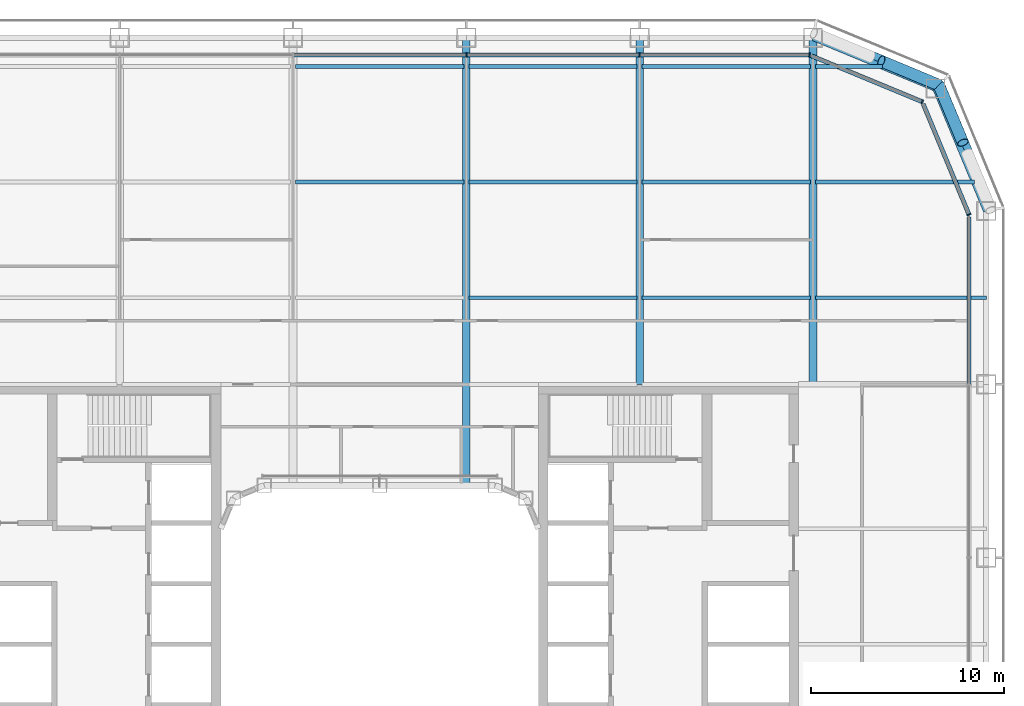
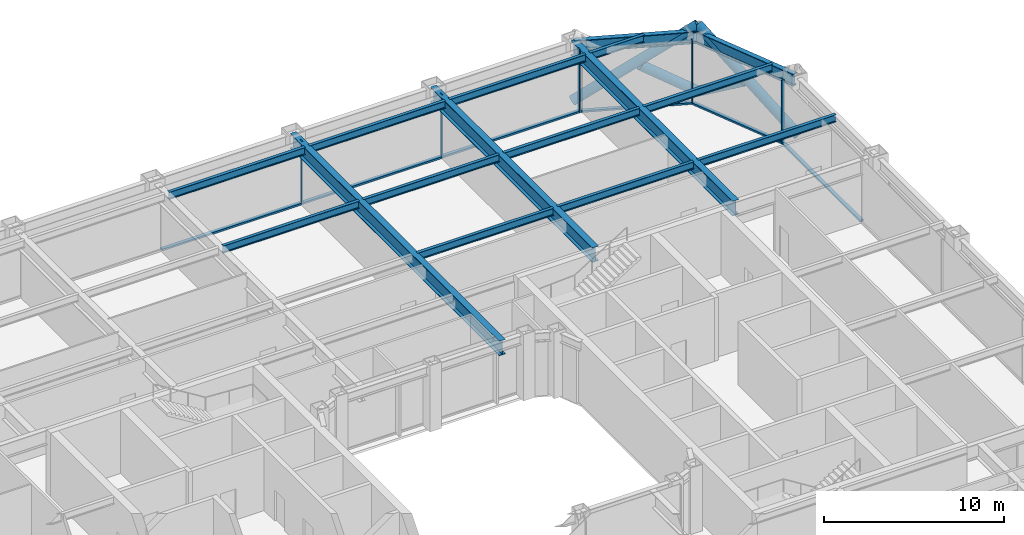
# One storey, part 10 of 27: 16 beams, 15 members, 4 elements without a shape of their own.
"""IFC4 building model written with IfcOpenShell, lengths in metres."""

from ifc_helpers import new_model, si_unit, direction, frame, origin, origin_2d, place, context, subcontext, project, spatial, rectangle, hollow_circle, i_section, extrude, material, layer, layer_set, material_profile, profile_set, type_object, element, aggregate, save


model = new_model("IFC4")

# Units and contexts
model_context = context("Model", 3, precision=1e-05, world=origin(), true_north=direction((0.0, 1.0)))
body_context = subcontext(model_context, "Body", "Model", "MODEL_VIEW")
ifc_project = project(units=[si_unit("LENGTHUNIT", "METRE"), si_unit("AREAUNIT", "SQUARE_METRE"), si_unit("VOLUMEUNIT", "CUBIC_METRE"), si_unit("PLANEANGLEUNIT", "RADIAN"), si_unit("MASSUNIT", "GRAM", prefix="KILO")], contexts=[model_context])

# Site, building, storey
site_placement = place(None, origin())
site = spatial("IfcSite", under=ifc_project, at=site_placement, CompositionType="ELEMENT")
building_placement = place(site_placement, origin())
building = spatial("IfcBuilding", under=site, at=building_placement, Name="Siwar Civic Tower", CompositionType="ELEMENT")
storey_placement = place(building_placement, frame((0.0, 0.0, 89.699951171875)))
storey = spatial("IfcBuildingStorey", under=building, at=storey_placement, Name="L19", CompositionType="ELEMENT", Elevation=89.699951171875)

# Curtain wall, member
ifc_material_1 = material(Name="Aluminium clad insulated panel", Category="aluminium")
ifc_layer_1 = layer(ifc_material_1, 0.219970703125)
ifc_layer_set_1 = layer_set([ifc_layer_1], Name="Aluminium clad insulated panel")
curtain_wall_type_1 = type_object("IfcCurtainWallType", Name="ENV-CW-AX", PredefinedType="NOTDEFINED", material=ifc_layer_set_1)
curtain_wall_1_placement = place(storey_placement, origin())
curtain_wall_1 = element("IfcCurtainWall", 1, at=curtain_wall_1_placement, inside=storey, type_object=curtain_wall_type_1, Name="Curtain wall A NE1", PredefinedType="NOTDEFINED")
ifc_material_2 = material(Name="Aluminium 6063-T6", Category="aluminium")
ifc_material_profile_1 = material_profile(ifc_material_2, rectangle(XDim=0.219970703125, YDim=0.070068359375, at=origin_2d()), Name="AL 220x70")
ifc_profile_set_1 = profile_set([ifc_material_profile_1], Name="Aluminium 6063-T6")
member_type_1 = type_object("IfcMemberType", Name="ENV-MULLION-A", PredefinedType="MULLION", material=ifc_profile_set_1)
member_1_placement = place(storey_placement, frame((30.60009765625, 22.321044921875, 0.0), z_axis=(0.0, 0.0, 1.0), x_axis=(-0.923879532511, -0.382683432365, 0.0)))
member_1 = element("IfcMember", 2, at=member_1_placement, type_object=member_type_1, Name="Mullion A NE1 1", PredefinedType="MULLION", context=body_context, shape_type="SweptSolid", body=[
    extrude(rectangle(XDim=0.219970703125, YDim=0.070068359375, at=origin_2d()), origin(), (0.0, 0.0, 1.0), 4.300048828125),
])

curtain_wall_2_placement = place(storey_placement, origin())
curtain_wall_2 = element("IfcCurtainWall", 3, at=curtain_wall_2_placement, inside=storey, type_object=curtain_wall_type_1, Name="Curtain wall A NE2", PredefinedType="NOTDEFINED")
member_2_placement = place(storey_placement, frame((28.175048828125, 28.175048828125, 0.0), z_axis=(0.0, 0.0, 1.0), x_axis=(-0.382683432365, -0.923879532511, 0.0)))
member_2 = element("IfcMember", 4, at=member_2_placement, type_object=member_type_1, Name="Mullion A NE2 1", PredefinedType="MULLION", context=body_context, shape_type="SweptSolid", body=[
    extrude(rectangle(XDim=0.219970703125, YDim=0.070068359375, at=origin_2d()), origin(), (0.0, 0.0, 1.0), 4.300048828125),
])

# Curtain wall, members
ifc_material_3 = material(Name="Aluminium and glass", Category="aluminium")
ifc_layer_2 = layer(ifc_material_3, 0.219970703125)
ifc_layer_set_2 = layer_set([ifc_layer_2], Name="Aluminium and glass")
curtain_wall_type_2 = type_object("IfcCurtainWallType", Name="ENV-CW-A", PredefinedType="NOTDEFINED", material=ifc_layer_set_2)
curtain_wall_3_placement = place(storey_placement, origin())
curtain_wall_3 = element("IfcCurtainWall", 5, at=curtain_wall_3_placement, inside=storey, type_object=curtain_wall_type_2, Name="Curtain wall A N", PredefinedType="NOTDEFINED")
member_3_placement = place(storey_placement, frame((22.321044921875, 30.60009765625, 0.0), z_axis=(0.0, 0.0, 1.0), x_axis=(0.0, -1.0, 0.0)))
member_3 = element("IfcMember", 6, at=member_3_placement, type_object=member_type_1, Name="Mullion A N 1", PredefinedType="MULLION", context=body_context, shape_type="SweptSolid", body=[
    extrude(rectangle(XDim=0.219970703125, YDim=0.070068359375, at=origin_2d()), origin(), (0.0, 0.0, 1.0), 4.300048828125),
])
member_4_placement = place(storey_placement, frame((13.5, 30.60009765625, 0.0), z_axis=(0.0, 0.0, 1.0), x_axis=(0.0, -1.0, 0.0)))
member_4 = element("IfcMember", 7, at=member_4_placement, type_object=member_type_1, Name="Mullion A N 2", PredefinedType="MULLION", context=body_context, shape_type="SweptSolid", body=[
    extrude(rectangle(XDim=0.219970703125, YDim=0.070068359375, at=origin_2d()), origin(), (0.0, 0.0, 1.0), 4.300048828125),
])
member_5_placement = place(storey_placement, frame((4.5, 30.60009765625, 0.0), z_axis=(0.0, 0.0, 1.0), x_axis=(0.0, -1.0, 0.0)))
member_5 = element("IfcMember", 8, at=member_5_placement, type_object=member_type_1, Name="Mullion A N 3", PredefinedType="MULLION", context=body_context, shape_type="SweptSolid", body=[
    extrude(rectangle(XDim=0.219970703125, YDim=0.070068359375, at=origin_2d()), origin(), (0.0, 0.0, 1.0), 4.300048828125),
])

# Curtain wall, member
curtain_wall_4_placement = place(storey_placement, origin())
curtain_wall_4 = element("IfcCurtainWall", 9, at=curtain_wall_4_placement, inside=storey, type_object=curtain_wall_type_2, Name="Curtain wall A E", PredefinedType="NOTDEFINED")
ifc_material_4 = material(Name="Aluminium 6063-T6", Category="aluminium")
ifc_material_profile_2 = material_profile(ifc_material_4, rectangle(XDim=0.219970703125, YDim=0.1201171875, at=origin_2d()), Name="AL 220x120")
ifc_profile_set_2 = profile_set([ifc_material_profile_2], Name="Aluminium 6063-T6")
member_type_2 = type_object("IfcMemberType", Name="ENV-TRANSOM-A", PredefinedType="USERDEFINED", material=ifc_profile_set_2)
member_6_placement = place(storey_placement, frame((30.60009765625, 13.534912109375, 0.06005859375), z_axis=(0.0, 1.0, 0.0), x_axis=(-1.0, 0.0, 0.0)))
member_6 = element("IfcMember", 10, at=member_6_placement, type_object=member_type_2, Name="Transom A E 5", ObjectType="TRANSOM", PredefinedType="USERDEFINED", context=body_context, shape_type="SweptSolid", body=[
    extrude(rectangle(XDim=0.219970703125, YDim=0.1201171875, at=origin_2d()), origin(), (0.0, 0.0, 1.0), 8.66357421875),
])
aggregate(curtain_wall_4, [member_6])

# Member
member_7_placement = place(storey_placement, frame((30.586669921875, 22.353271484375, 0.06005859375), z_axis=(-0.382698415042, 0.923873326341, 0.0), x_axis=(-0.923873326341, -0.382698415042, 0.0)))
member_7 = element("IfcMember", 11, at=member_7_placement, type_object=member_type_2, Name="Transom A NE1 1", ObjectType="TRANSOM", PredefinedType="USERDEFINED", context=body_context, shape_type="SweptSolid", body=[
    extrude(rectangle(XDim=0.219970703125, YDim=0.1201171875, at=origin_2d()), origin(), (0.0, 0.0, 1.0), 6.17919921875),
])

aggregate(curtain_wall_1, [member_1, member_7])

member_8_placement = place(storey_placement, frame((28.142822265625, 28.1884765625, 0.06005859375), z_axis=(-0.923873326341, 0.382698415042, 0.0), x_axis=(-0.382698415042, -0.923873326341, 0.0)))
member_8 = element("IfcMember", 12, at=member_8_placement, type_object=member_type_2, Name="Transom A NE2 1", ObjectType="TRANSOM", PredefinedType="USERDEFINED", context=body_context, shape_type="SweptSolid", body=[
    extrude(rectangle(XDim=0.219970703125, YDim=0.1201171875, at=origin_2d()), origin(), (0.0, 0.0, 1.0), 6.17919921875),
])

aggregate(curtain_wall_2, [member_2, member_8])

member_9_placement = place(storey_placement, frame((22.285888671875, 30.60009765625, 0.06005859375), z_axis=(-1.0, 0.0, 0.0), x_axis=(0.0, -1.0, 0.0)))
member_9 = element("IfcMember", 13, at=member_9_placement, type_object=member_type_2, Name="Transom A N 1", ObjectType="TRANSOM", PredefinedType="USERDEFINED", context=body_context, shape_type="SweptSolid", body=[
    extrude(rectangle(XDim=0.219970703125, YDim=0.1201171875, at=origin_2d()), origin(), (0.0, 0.0, 1.0), 8.7509765625),
])

member_10_placement = place(storey_placement, frame((13.465087890625, 30.60009765625, 0.06005859375), z_axis=(-1.0, 0.0, 0.0), x_axis=(0.0, -1.0, 0.0)))
member_10 = element("IfcMember", 14, at=member_10_placement, type_object=member_type_2, Name="Transom A N 2", ObjectType="TRANSOM", PredefinedType="USERDEFINED", context=body_context, shape_type="SweptSolid", body=[
    extrude(rectangle(XDim=0.219970703125, YDim=0.1201171875, at=origin_2d()), origin(), (0.0, 0.0, 1.0), 8.93017578125),
])

member_11_placement = place(storey_placement, frame((4.465087890625, 30.60009765625, 0.06005859375), z_axis=(-1.0, 0.0, 0.0), x_axis=(0.0, -1.0, 0.0)))
member_11 = element("IfcMember", 15, at=member_11_placement, type_object=member_type_2, Name="Transom A N 3", ObjectType="TRANSOM", PredefinedType="USERDEFINED", context=body_context, shape_type="SweptSolid", body=[
    extrude(rectangle(XDim=0.219970703125, YDim=0.1201171875, at=origin_2d()), origin(), (0.0, 0.0, 1.0), 8.93017578125),
])

aggregate(curtain_wall_3, [member_3, member_4, member_5, member_9, member_10, member_11])

# Members
ifc_material_5 = material(Name="Steel S355", Category="steel")
ifc_material_profile_3 = material_profile(ifc_material_5, hollow_circle(Radius=0.304931640625, WallThickness=0.030029296875, at=origin_2d()), Name="CHS610x30")
ifc_profile_set_3 = profile_set([ifc_material_profile_3], Name="Steel S355")
member_type_3 = type_object("IfcMemberType", Name="STR-BR-CHS610x30", PredefinedType="BRACE", material=ifc_profile_set_3)
member_12_placement = place(storey_placement, frame((22.548828125, 31.7451171875, 0.0), z_axis=(0.777554562952, -0.323905527954, 0.538975055633), x_axis=(0.384538969033, 0.923108759191, 0.0)))
element("IfcMember", 16, at=member_12_placement, inside=storey, type_object=member_type_3, Name="L19/brc/ANE1-18-0-1", PredefinedType="BRACE", context=body_context, shape_type="SweptSolid", body=[
    extrude(hollow_circle(Radius=0.304931640625, WallThickness=0.030029296875, at=origin_2d()), origin(), (0.0, 0.0, 1.0), 8.34912109375),
])
member_13_placement = place(storey_placement, frame((29.040771484375, 29.040771484375, 0.0), z_axis=(-0.777542179573, 0.323922979564, 0.53898243227), x_axis=(-0.384561842466, -0.923099230484, 0.0)))
element("IfcMember", 17, at=member_13_placement, inside=storey, type_object=member_type_3, Name="L19/brc/ANE1-18-0-2", PredefinedType="BRACE", context=body_context, shape_type="SweptSolid", body=[
    extrude(hollow_circle(Radius=0.304931640625, WallThickness=0.030029296875, at=origin_2d()), origin(), (0.0, 0.0, 1.0), 3.84375),
])
member_14_placement = place(storey_placement, frame((31.7451171875, 22.548828125, 0.0), z_axis=(-0.323905527954, 0.777554562952, 0.538975055633), x_axis=(-0.923108759191, -0.384538969033, 0.0)))
element("IfcMember", 18, at=member_14_placement, inside=storey, type_object=member_type_3, Name="L19/brc/ANE1-18-0-0", PredefinedType="BRACE", context=body_context, shape_type="SweptSolid", body=[
    extrude(hollow_circle(Radius=0.304931640625, WallThickness=0.030029296875, at=origin_2d()), origin(), (0.0, 0.0, 1.0), 8.34912109375),
])
member_15_placement = place(storey_placement, frame((29.040771484375, 29.040771484375, 0.0), z_axis=(0.323922979564, -0.777542179573, 0.53898243227), x_axis=(0.923099230484, 0.384561842466, 0.0)))
element("IfcMember", 19, at=member_15_placement, inside=storey, type_object=member_type_3, Name="L19/brc/ANE1-18-0-4", PredefinedType="BRACE", context=body_context, shape_type="SweptSolid", body=[
    extrude(hollow_circle(Radius=0.304931640625, WallThickness=0.030029296875, at=origin_2d()), origin(), (0.0, 0.0, 1.0), 3.84375),
])

# Beams
ifc_material_6 = material(Name="Steel S355", Category="steel")
ifc_material_profile_4 = material_profile(ifc_material_6, i_section(OverallWidth=0.199951171875, OverallDepth=0.5, WebThickness=0.01025390625, FlangeThickness=0.01611328125, FilletRadius=0.02099609375, at=origin_2d()), Name="IPE500")
ifc_profile_set_4 = profile_set([ifc_material_profile_4], Name="Steel S355")
beam_type_1 = type_object("IfcBeamType", Name="STR-FB-IPE500", PredefinedType="JOIST", material=ifc_profile_set_4)
for number, where, z_axis, x_axis, name in (
    (20, (4.6298828125, 18.0, 4.050048828125), (1.0, 0.0, 0.0), (0.0, 1.0, 0.0), "L19/bm/F050"),
    (21, (13.6298828125, 18.0, 4.050048828125), (1.0, 0.0, 0.0), (0.0, 1.0, 0.0), "L19/bm/F051"),
):
    element("IfcBeam", number, at=place(storey_placement, frame(where, z_axis=z_axis, x_axis=x_axis)), inside=storey, type_object=beam_type_1, Name=name, PredefinedType="JOIST", context=body_context, shape_type="SweptSolid", body=[
        extrude(i_section(OverallWidth=0.199951171875, OverallDepth=0.5, WebThickness=0.01025390625, FlangeThickness=0.01611328125, FilletRadius=0.02099609375, at=origin_2d()), origin(), (0.0, 0.0, 1.0), 8.740234375),
    ])
beam_1_placement = place(storey_placement, frame((22.6298828125, 18.0, 4.050048828125), z_axis=(1.0, 0.0, 0.0), x_axis=(0.0, 1.0, 0.0)))
element("IfcBeam", 22, at=beam_1_placement, inside=storey, type_object=beam_type_1, Name="L19/bm/F052", PredefinedType="JOIST", context=body_context, shape_type="SweptSolid", body=[
    extrude(i_section(OverallWidth=0.199951171875, OverallDepth=0.5, WebThickness=0.01025390625, FlangeThickness=0.01611328125, FilletRadius=0.02099609375, at=origin_2d()), origin(), (0.0, 0.0, 1.0), 8.8701171875),
])
for number, where, z_axis, x_axis, name in (
    (23, (-4.3701171875, 24.0, 4.050048828125), (1.0, 0.0, 0.0), (0.0, 1.0, 0.0), "L19/bm/F056"),
    (24, (4.6298828125, 24.0, 4.050048828125), (1.0, 0.0, 0.0), (0.0, 1.0, 0.0), "L19/bm/F057"),
    (25, (13.6298828125, 24.0, 4.050048828125), (1.0, 0.0, 0.0), (0.0, 1.0, 0.0), "L19/bm/F058"),
):
    element("IfcBeam", number, at=place(storey_placement, frame(where, z_axis=z_axis, x_axis=x_axis)), inside=storey, type_object=beam_type_1, Name=name, PredefinedType="JOIST", context=body_context, shape_type="SweptSolid", body=[
        extrude(i_section(OverallWidth=0.199951171875, OverallDepth=0.5, WebThickness=0.01025390625, FlangeThickness=0.01611328125, FilletRadius=0.02099609375, at=origin_2d()), origin(), (0.0, 0.0, 1.0), 8.740234375),
    ])
beam_2_placement = place(storey_placement, frame((22.6298828125, 24.0, 4.050048828125), z_axis=(1.0, 0.0, 0.0), x_axis=(0.0, 1.0, 0.0)))
element("IfcBeam", 26, at=beam_2_placement, inside=storey, type_object=beam_type_1, Name="L19/bm/F059", PredefinedType="JOIST", context=body_context, shape_type="SweptSolid", body=[
    extrude(i_section(OverallWidth=0.199951171875, OverallDepth=0.5, WebThickness=0.01025390625, FlangeThickness=0.01611328125, FilletRadius=0.02099609375, at=origin_2d()), origin(), (0.0, 0.0, 1.0), 8.248779296875),
])
for number, where, z_axis, x_axis, name in (
    (27, (-4.3701171875, 30.0, 4.050048828125), (1.0, 0.0, 0.0), (0.0, 1.0, 0.0), "L19/bm/F063"),
    (28, (4.6298828125, 30.0, 4.050048828125), (1.0, 0.0, 0.0), (0.0, 1.0, 0.0), "L19/bm/F064"),
    (29, (13.6298828125, 30.0, 4.050048828125), (1.0, 0.0, 0.0), (0.0, 1.0, 0.0), "L19/bm/F065"),
):
    element("IfcBeam", number, at=place(storey_placement, frame(where, z_axis=z_axis, x_axis=x_axis)), inside=storey, type_object=beam_type_1, Name=name, PredefinedType="JOIST", context=body_context, shape_type="SweptSolid", body=[
        extrude(i_section(OverallWidth=0.199951171875, OverallDepth=0.5, WebThickness=0.01025390625, FlangeThickness=0.01611328125, FilletRadius=0.02099609375, at=origin_2d()), origin(), (0.0, 0.0, 1.0), 8.740234375),
    ])
beam_3_placement = place(storey_placement, frame((22.6298828125, 30.0, 4.050048828125), z_axis=(1.0, 0.0, 0.0), x_axis=(0.0, 1.0, 0.0)))
element("IfcBeam", 30, at=beam_3_placement, inside=storey, type_object=beam_type_1, Name="L19/bm/F066", PredefinedType="JOIST", context=body_context, shape_type="SweptSolid", body=[
    extrude(i_section(OverallWidth=0.199951171875, OverallDepth=0.5, WebThickness=0.01025390625, FlangeThickness=0.01611328125, FilletRadius=0.02099609375, at=origin_2d()), origin(), (0.0, 0.0, 1.0), 3.491455078125),
])
ifc_material_7 = material(Name="Steel S355", Category="steel")
ifc_material_profile_5 = material_profile(ifc_material_7, i_section(OverallWidth=0.39990234375, OverallDepth=1.0, WebThickness=0.01611328125, FlangeThickness=0.0400390625, at=origin_2d()), Name="PG1000x400x16x40")
ifc_profile_set_5 = profile_set([ifc_material_profile_5], Name="Steel S355")
beam_type_2 = type_object("IfcBeamType", Name="STR-PG-PG1000x400x16x40", PredefinedType="BEAM", material=ifc_profile_set_5)
beam_4_placement = place(storey_placement, frame((4.5, 8.25, 3.800048828125), z_axis=(0.0, 1.0, 0.0), x_axis=(-1.0, 0.0, 0.0)))
element("IfcBeam", 31, at=beam_4_placement, inside=storey, type_object=beam_type_2, Name="L19/bm/G08", PredefinedType="BEAM", context=body_context, shape_type="SweptSolid", body=[
    extrude(i_section(OverallWidth=0.39990234375, OverallDepth=1.0, WebThickness=0.01611328125, FlangeThickness=0.0400390625, at=origin_2d()), origin(), (0.0, 0.0, 1.0), 23.25),
])
for number, where, z_axis, x_axis, name in (
    (32, (13.5, 13.5, 3.800048828125), (0.0, 1.0, 0.0), (-1.0, 0.0, 0.0), "L19/bm/G10"),
    (33, (22.5, 13.5, 3.800048828125), (0.0, 1.0, 0.0), (-1.0, 0.0, 0.0), "L19/bm/G12"),
):
    element("IfcBeam", number, at=place(storey_placement, frame(where, z_axis=z_axis, x_axis=x_axis)), inside=storey, type_object=beam_type_2, Name=name, PredefinedType="BEAM", context=body_context, shape_type="SweptSolid", body=[
        extrude(i_section(OverallWidth=0.39990234375, OverallDepth=1.0, WebThickness=0.01611328125, FlangeThickness=0.0400390625, at=origin_2d()), origin(), (0.0, 0.0, 1.0), 18.0),
    ])
ifc_material_8 = material(Name="Steel S355", Category="steel")
ifc_material_profile_6 = material_profile(ifc_material_8, i_section(OverallWidth=0.302978515625, OverallDepth=0.81396484375, WebThickness=0.02099609375, FlangeThickness=0.0400390625, FilletRadius=0.030029296875, at=origin_2d()), Name="HEM800")
ifc_profile_set_6 = profile_set([ifc_material_profile_6], Name="Steel S355")
beam_type_3 = type_object("IfcBeamType", Name="STR-SB-HEM800", PredefinedType="BEAM", material=ifc_profile_set_6)
for number, where, z_axis, x_axis, name in (
    (34, (31.5, 22.5, 3.89306640625), (-0.382674207535, 0.923883353507, 0.0), (-0.923883353507, -0.382674207535, 0.0), "L19/bm/SNE1-0"),
    (35, (28.864013671875, 28.864013671875, 3.89306640625), (-0.923883353507, 0.382674207535, 0.0), (-0.382674207535, -0.923883353507, 0.0), "L19/bm/SNE2-0"),
):
    element("IfcBeam", number, at=place(storey_placement, frame(where, z_axis=z_axis, x_axis=x_axis)), inside=storey, type_object=beam_type_3, Name=name, PredefinedType="BEAM", context=body_context, shape_type="SweptSolid", body=[
        extrude(i_section(OverallWidth=0.302978515625, OverallDepth=0.81396484375, WebThickness=0.02099609375, FlangeThickness=0.0400390625, FilletRadius=0.030029296875, at=origin_2d()), origin(), (0.0, 0.0, 1.0), 6.888427734375),
    ])

save(model, "model.ifc")
